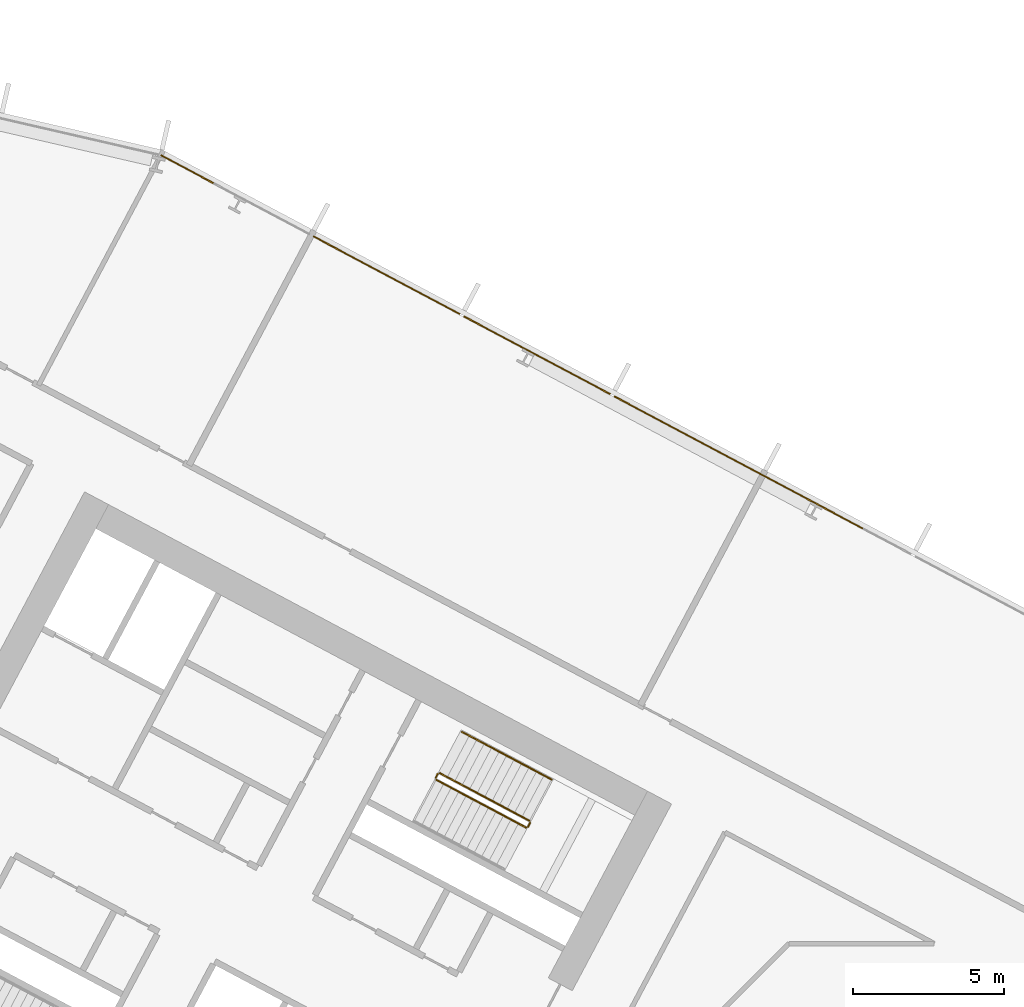
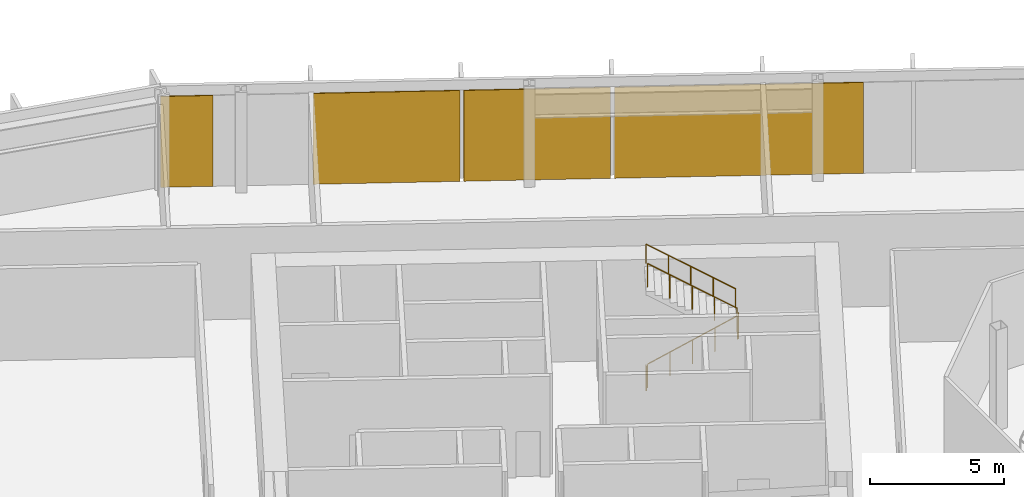
# One storey, part 25 of 32: 5 railings, 4 coverings, 1 element without a shape of its own.
"""IFC4 building model written with IfcOpenShell, lengths in metres."""

from ifc_helpers import new_model, si_unit, direction, frame, origin, origin_2d, place, context, subcontext, project, spatial, polyline, rectangle, outline, extrude, material, layer, layer_set, type_object, element, aggregate, save


model = new_model("IFC4")

# Units and contexts
model_context = context("Model", 3, precision=1e-05, world=origin(), true_north=direction((0.0, 1.0)))
body_context = subcontext(model_context, "Body", "Model", "MODEL_VIEW")
ifc_project = project(units=[si_unit("LENGTHUNIT", "METRE"), si_unit("AREAUNIT", "SQUARE_METRE"), si_unit("VOLUMEUNIT", "CUBIC_METRE"), si_unit("PLANEANGLEUNIT", "RADIAN"), si_unit("MASSUNIT", "GRAM", prefix="KILO")], contexts=[model_context])

# Site, building, storey
site_placement = place(None, origin())
site = spatial("IfcSite", under=ifc_project, at=site_placement, CompositionType="ELEMENT")
building_placement = place(site_placement, origin())
building = spatial("IfcBuilding", under=site, at=building_placement, Name="Cormorant Relay Tower", CompositionType="ELEMENT")
storey_placement = place(building_placement, frame((0.0, 0.0, 70.800048828125)))
storey = spatial("IfcBuildingStorey", under=building, at=storey_placement, Name="L13", CompositionType="ELEMENT", Elevation=70.800048828125)

# Curtain wall, coverings
ifc_material_1 = material(Name="Aluminium 6063-T6 anodised bronze", Category="aluminium")
ifc_layer_1 = layer(ifc_material_1, 0.199951171875)
ifc_layer_set_1 = layer_set([ifc_layer_1], Name="CW1 unitised bronze curtain wall with vertical fins")
curtain_wall_type = type_object("IfcCurtainWallType", Name="CW1 unitised bronze curtain wall with vertical fins", PredefinedType="NOTDEFINED", material=ifc_layer_set_1)
curtain_wall_placement = place(storey_placement, origin())
curtain_wall = element("IfcCurtainWall", 1, at=curtain_wall_placement, inside=storey, type_object=curtain_wall_type, Name="CW1 curtain wall 7", PredefinedType="NOTDEFINED")
ifc_material_2 = material(Name="Pale bronze anodised aluminium insulated panel", Category="aluminium")
ifc_layer_2 = layer(ifc_material_2, 0.0400390625)
ifc_layer_set_2 = layer_set([ifc_layer_2], Name="CW1 pale bronze insulated panel 40")
covering_type = type_object("IfcCoveringType", Name="CW1 pale bronze insulated panel 40", PredefinedType="CLADDING", material=ifc_layer_set_2)
covering_1_placement = place(storey_placement, frame((-10.7431640625, 29.518798828125, 0.0), z_axis=(0.0, 0.0, 1.0), x_axis=(-0.882947592859, 0.469471562786, 0.0)))
covering_1 = element("IfcCovering", 2, at=covering_1_placement, type_object=covering_type, Name="CW1 panel S02", PredefinedType="CLADDING", context=body_context, shape_type="SweptSolid", body=[
    extrude(rectangle(XDim=9.327880859375, YDim=0.0400390625, at=origin_2d()), origin(), (0.0, 0.0, 1.0), 4.14990234375),
])
covering_2_placement = place(storey_placement, frame((-17.4169921875, 33.0673828125, 0.0), z_axis=(0.0, 0.0, 1.0), x_axis=(-0.882947592859, 0.469471562786, 0.0)))
covering_2 = element("IfcCovering", 3, at=covering_2_placement, type_object=covering_type, Name="CW1 panel S03", PredefinedType="CLADDING", context=body_context, shape_type="SweptSolid", body=[
    extrude(rectangle(XDim=5.489013671875, YDim=0.0400390625, at=origin_2d()), origin(), (0.0, 0.0, 1.0), 4.14990234375),
])
covering_3_placement = place(storey_placement, frame((-22.39599609375, 35.714599609375, 0.0), z_axis=(0.0, 0.0, 1.0), x_axis=(-0.882947592859, 0.469471562786, 0.0)))
covering_3 = element("IfcCovering", 4, at=covering_3_placement, type_object=covering_type, Name="CW1 panel S04", PredefinedType="CLADDING", context=body_context, shape_type="SweptSolid", body=[
    extrude(rectangle(XDim=5.489013671875, YDim=0.0400390625, at=origin_2d()), origin(), (0.0, 0.0, 1.0), 4.14990234375),
])
covering_4_placement = place(storey_placement, frame((-28.997314453125, 39.224853515625, 0.0), z_axis=(0.0, 0.0, 1.0), x_axis=(-0.882947592859, 0.469471562786, 0.0)))
covering_4 = element("IfcCovering", 5, at=covering_4_placement, type_object=covering_type, Name="CW1 panel S06", PredefinedType="CLADDING", context=body_context, shape_type="SweptSolid", body=[
    extrude(rectangle(XDim=1.964111328125, YDim=0.0400390625, at=origin_2d()), origin(), (0.0, 0.0, 1.0), 4.14990234375),
])
aggregate(curtain_wall, [covering_1, covering_2, covering_3, covering_4])

# Railings
ifc_material_3 = material(Name="Steel ASTM A572 Grade 50 (Fy 345 MPa)", Category="steel")
railing_type_1 = type_object("IfcRailingType", Name="Stair guard 1100", PredefinedType="GUARDRAIL", material=ifc_material_3)
railing_1_placement = place(storey_placement, frame((-20.75048828125, 19.017822265625, 0.1767578125)))
element("IfcRailing", 6, at=railing_1_placement, inside=storey, type_object=railing_type_1, Name="L13 A1 stair guard 1", PredefinedType="GUARDRAIL", context=body_context, shape_type="SweptSolid", body=[
    extrude(outline(polyline([(0.022216796875, 0.00927734375), (0.00927734375, 0.022216796875), (-0.00927734375, 0.022216796875), (-0.022216796875, 0.00927734375), (-0.022216796875, -0.00927734375), (-0.00927734375, -0.022216796875), (0.00927734375, -0.022216796875), (0.022216796875, -0.00927734375), (0.022216796875, 0.00927734375)])), frame((0.0, 0.0, 1.076171875), z_axis=(0.746388972956, -0.396874261729, 0.534223100798), x_axis=(0.469482818608, 0.88294160794, 0.0)), (0.0, 0.0, 1.0), 3.974609375),
    extrude(outline(polyline([(0.019287109375, 0.008056640625), (0.008056640625, 0.019287109375), (-0.008056640625, 0.019287109375), (-0.019287109375, 0.008056640625), (-0.019287109375, -0.008056640625), (-0.008056640625, -0.019287109375), (0.008056640625, -0.019287109375), (0.019287109375, -0.008056640625), (0.019287109375, 0.008056640625)])), origin(), (0.0, 0.0, 1.0), 1.052001953125),
    extrude(outline(polyline([(0.019287109375, 0.008056640625), (0.008056640625, 0.019287109375), (-0.008056640625, 0.019287109375), (-0.019287109375, 0.008056640625), (-0.019287109375, -0.008056640625), (-0.008056640625, -0.019287109375), (0.008056640625, -0.019287109375), (0.019287109375, -0.008056640625), (0.019287109375, 0.008056640625)])), frame((0.74169921875, -0.394287109375, 0.53076171875)), (0.0, 0.0, 1.0), 1.052001953125),
    extrude(outline(polyline([(0.019287109375, 0.008056640625), (0.008056640625, 0.019287109375), (-0.008056640625, 0.019287109375), (-0.019287109375, 0.008056640625), (-0.019287109375, -0.008056640625), (-0.008056640625, -0.019287109375), (0.008056640625, -0.019287109375), (0.019287109375, -0.008056640625), (0.019287109375, 0.008056640625)])), frame((1.4833984375, -0.78857421875, 1.0615234375)), (0.0, 0.0, 1.0), 1.052001953125),
    extrude(outline(polyline([(0.019287109375, 0.008056640625), (0.008056640625, 0.019287109375), (-0.008056640625, 0.019287109375), (-0.019287109375, 0.008056640625), (-0.019287109375, -0.008056640625), (-0.008056640625, -0.019287109375), (0.008056640625, -0.019287109375), (0.019287109375, -0.008056640625), (0.019287109375, 0.008056640625)])), frame((2.224853515625, -1.18310546875, 1.592529296875)), (0.0, 0.0, 1.0), 1.052001953125),
    extrude(outline(polyline([(0.019287109375, 0.008056640625), (0.008056640625, 0.019287109375), (-0.008056640625, 0.019287109375), (-0.019287109375, 0.008056640625), (-0.019287109375, -0.008056640625), (-0.008056640625, -0.019287109375), (0.008056640625, -0.019287109375), (0.019287109375, -0.008056640625), (0.019287109375, 0.008056640625)])), frame((2.966552734375, -1.577392578125, 2.123291015625)), (0.0, 0.0, 1.0), 1.052001953125),
])
railing_2_placement = place(storey_placement, frame((-17.71630859375, 17.461181640625, 2.300048828125)))
element("IfcRailing", 7, at=railing_2_placement, inside=storey, type_object=railing_type_1, Name="L13 A1 stair guard 2", PredefinedType="GUARDRAIL", context=body_context, shape_type="SweptSolid", body=[
    extrude(outline(polyline([(0.022216796875, 0.00927734375), (0.00927734375, 0.022216796875), (-0.00927734375, 0.022216796875), (-0.022216796875, 0.00927734375), (-0.022216796875, -0.00927734375), (-0.00927734375, -0.022216796875), (0.00927734375, -0.022216796875), (0.022216796875, -0.00927734375), (0.022216796875, 0.00927734375)])), frame((0.0, 0.0, 1.076171875), z_axis=(0.470503732759, 0.882398003998, 0.0), x_axis=(-0.882398003998, 0.470503732759, 0.0)), (0.0, 0.0, 1.0), 0.14990234375),
    extrude(outline(polyline([(0.019287109375, 0.008056640625), (0.008056640625, 0.019287109375), (-0.008056640625, 0.019287109375), (-0.019287109375, 0.008056640625), (-0.019287109375, -0.008056640625), (-0.008056640625, -0.019287109375), (0.008056640625, -0.019287109375), (0.019287109375, -0.008056640625), (0.019287109375, 0.008056640625)])), origin(), (0.0, 0.0, 1.0), 1.052001953125),
    extrude(outline(polyline([(0.019287109375, 0.008056640625), (0.008056640625, 0.019287109375), (-0.008056640625, 0.019287109375), (-0.019287109375, 0.008056640625), (-0.019287109375, -0.008056640625), (-0.008056640625, -0.019287109375), (0.008056640625, -0.019287109375), (0.019287109375, -0.008056640625), (0.019287109375, 0.008056640625)])), frame((0.070556640625, 0.13232421875, 0.0)), (0.0, 0.0, 1.0), 1.052001953125),
])
railing_3_placement = place(storey_placement, frame((-17.66650390625, 17.6611328125, 2.476806640625)))
element("IfcRailing", 8, at=railing_3_placement, inside=storey, type_object=railing_type_1, Name="L13 A1 stair guard 3", PredefinedType="GUARDRAIL", context=body_context, shape_type="SweptSolid", body=[
    extrude(outline(polyline([(0.022216796875, 0.00927734375), (0.00927734375, 0.022216796875), (-0.00927734375, 0.022216796875), (-0.022216796875, 0.00927734375), (-0.022216796875, -0.00927734375), (-0.00927734375, -0.022216796875), (0.00927734375, -0.022216796875), (0.022216796875, -0.00927734375), (0.022216796875, 0.00927734375)])), frame((0.0, 0.0, 1.076171875), z_axis=(-0.746440668329, 0.396869088057, 0.534154711306), x_axis=(-0.46945269911, -0.882957622595, 0.0)), (0.0, 0.0, 1.0), 3.974609375),
    extrude(outline(polyline([(0.019287109375, 0.008056640625), (0.008056640625, 0.019287109375), (-0.008056640625, 0.019287109375), (-0.019287109375, 0.008056640625), (-0.019287109375, -0.008056640625), (-0.008056640625, -0.019287109375), (0.008056640625, -0.019287109375), (0.019287109375, -0.008056640625), (0.019287109375, 0.008056640625)])), origin(), (0.0, 0.0, 1.0), 1.052001953125),
    extrude(outline(polyline([(0.019287109375, 0.008056640625), (0.008056640625, 0.019287109375), (-0.008056640625, 0.019287109375), (-0.019287109375, 0.008056640625), (-0.019287109375, -0.008056640625), (-0.008056640625, -0.019287109375), (0.008056640625, -0.019287109375), (0.019287109375, -0.008056640625), (0.019287109375, 0.008056640625)])), frame((-0.74169921875, 0.394287109375, 0.53076171875)), (0.0, 0.0, 1.0), 1.052001953125),
    extrude(outline(polyline([(0.019287109375, 0.008056640625), (0.008056640625, 0.019287109375), (-0.008056640625, 0.019287109375), (-0.019287109375, 0.008056640625), (-0.019287109375, -0.008056640625), (-0.008056640625, -0.019287109375), (0.008056640625, -0.019287109375), (0.019287109375, -0.008056640625), (0.019287109375, 0.008056640625)])), frame((-1.4833984375, 0.78857421875, 1.0615234375)), (0.0, 0.0, 1.0), 1.052001953125),
    extrude(outline(polyline([(0.019287109375, 0.008056640625), (0.008056640625, 0.019287109375), (-0.008056640625, 0.019287109375), (-0.019287109375, 0.008056640625), (-0.019287109375, -0.008056640625), (-0.008056640625, -0.019287109375), (0.008056640625, -0.019287109375), (0.019287109375, -0.008056640625), (0.019287109375, 0.008056640625)])), frame((-2.22509765625, 1.18310546875, 1.59228515625)), (0.0, 0.0, 1.0), 1.052001953125),
    extrude(outline(polyline([(0.019287109375, 0.008056640625), (0.008056640625, 0.019287109375), (-0.008056640625, 0.019287109375), (-0.019287109375, 0.008056640625), (-0.019287109375, -0.008056640625), (-0.008056640625, -0.019287109375), (0.008056640625, -0.019287109375), (0.019287109375, -0.008056640625), (0.019287109375, 0.008056640625)])), frame((-2.966796875, 1.577392578125, 2.123046875)), (0.0, 0.0, 1.0), 1.052001953125),
])
railing_4_placement = place(storey_placement, frame((-20.771240234375, 19.08544921875, 0.0)))
element("IfcRailing", 9, at=railing_4_placement, inside=storey, type_object=railing_type_1, Name="L13 A1 stair guard 4", PredefinedType="GUARDRAIL", context=body_context, shape_type="SweptSolid", body=[
    extrude(outline(polyline([(0.022216796875, 0.00927734375), (0.00927734375, 0.022216796875), (-0.00927734375, 0.022216796875), (-0.022216796875, 0.00927734375), (-0.022216796875, -0.00927734375), (-0.00927734375, -0.022216796875), (0.00927734375, -0.022216796875), (0.022216796875, -0.00927734375), (0.022216796875, 0.00927734375)])), frame((0.0, 0.0, 1.076171875), z_axis=(0.469828648786, 0.882757634224, 0.0), x_axis=(-0.882757634224, 0.469828648786, 0.0)), (0.0, 0.0, 1.0), 0.150146484375),
    extrude(outline(polyline([(0.019287109375, 0.008056640625), (0.008056640625, 0.019287109375), (-0.008056640625, 0.019287109375), (-0.019287109375, 0.008056640625), (-0.019287109375, -0.008056640625), (-0.008056640625, -0.019287109375), (0.008056640625, -0.019287109375), (0.019287109375, -0.008056640625), (0.019287109375, 0.008056640625)])), origin(), (0.0, 0.0, 1.0), 1.052001953125),
    extrude(outline(polyline([(0.019287109375, 0.008056640625), (0.008056640625, 0.019287109375), (-0.008056640625, 0.019287109375), (-0.019287109375, 0.008056640625), (-0.019287109375, -0.008056640625), (-0.008056640625, -0.019287109375), (0.008056640625, -0.019287109375), (0.019287109375, -0.008056640625), (0.019287109375, 0.008056640625)])), frame((0.070556640625, 0.132568359375, 0.0)), (0.0, 0.0, 1.0), 1.052001953125),
])
ifc_material_4 = material(Name="Steel ASTM A572 Grade 50 (Fy 345 MPa)", Category="steel")
railing_type_2 = type_object("IfcRailingType", Name="Stair handrail 900", PredefinedType="HANDRAIL", material=ifc_material_4)
railing_5_placement = place(storey_placement, frame((-16.938720703125, 19.02978515625, 2.476806640625)))
element("IfcRailing", 10, at=railing_5_placement, inside=storey, type_object=railing_type_2, Name="L13 A1 stair handrail 2", PredefinedType="HANDRAIL", context=body_context, shape_type="SweptSolid", body=[
    extrude(outline(polyline([(0.022216796875, 0.00927734375), (0.00927734375, 0.022216796875), (-0.00927734375, 0.022216796875), (-0.022216796875, 0.00927734375), (-0.022216796875, -0.00927734375), (-0.00927734375, -0.022216796875), (0.00927734375, -0.022216796875), (0.022216796875, -0.00927734375), (0.022216796875, 0.00927734375)])), frame((0.0, 0.0, 0.8759765625), z_axis=(-0.746440668329, 0.396869088057, 0.534154711306), x_axis=(-0.46945269911, -0.882957622595, 0.0)), (0.0, 0.0, 1.0), 3.974609375),
    extrude(outline(polyline([(0.019287109375, 0.008056640625), (0.008056640625, 0.019287109375), (-0.008056640625, 0.019287109375), (-0.019287109375, 0.008056640625), (-0.019287109375, -0.008056640625), (-0.008056640625, -0.019287109375), (0.008056640625, -0.019287109375), (0.019287109375, -0.008056640625), (0.019287109375, 0.008056640625)])), origin(), (0.0, 0.0, 1.0), 0.851806640625),
    extrude(outline(polyline([(0.019287109375, 0.008056640625), (0.008056640625, 0.019287109375), (-0.008056640625, 0.019287109375), (-0.019287109375, 0.008056640625), (-0.019287109375, -0.008056640625), (-0.008056640625, -0.019287109375), (0.008056640625, -0.019287109375), (0.019287109375, -0.008056640625), (0.019287109375, 0.008056640625)])), frame((-0.74169921875, 0.394287109375, 0.53076171875)), (0.0, 0.0, 1.0), 0.851806640625),
    extrude(outline(polyline([(0.019287109375, 0.008056640625), (0.008056640625, 0.019287109375), (-0.008056640625, 0.019287109375), (-0.019287109375, 0.008056640625), (-0.019287109375, -0.008056640625), (-0.008056640625, -0.019287109375), (0.008056640625, -0.019287109375), (0.019287109375, -0.008056640625), (0.019287109375, 0.008056640625)])), frame((-1.4833984375, 0.78857421875, 1.0615234375)), (0.0, 0.0, 1.0), 0.851806640625),
    extrude(outline(polyline([(0.019287109375, 0.008056640625), (0.008056640625, 0.019287109375), (-0.008056640625, 0.019287109375), (-0.019287109375, 0.008056640625), (-0.019287109375, -0.008056640625), (-0.008056640625, -0.019287109375), (0.008056640625, -0.019287109375), (0.019287109375, -0.008056640625), (0.019287109375, 0.008056640625)])), frame((-2.22509765625, 1.18310546875, 1.59228515625)), (0.0, 0.0, 1.0), 0.851806640625),
    extrude(outline(polyline([(0.019287109375, 0.008056640625), (0.008056640625, 0.019287109375), (-0.008056640625, 0.019287109375), (-0.019287109375, 0.008056640625), (-0.019287109375, -0.008056640625), (-0.008056640625, -0.019287109375), (0.008056640625, -0.019287109375), (0.019287109375, -0.008056640625), (0.019287109375, 0.008056640625)])), frame((-2.966796875, 1.577392578125, 2.123046875)), (0.0, 0.0, 1.0), 0.851806640625),
])

save(model, "model.ifc")
